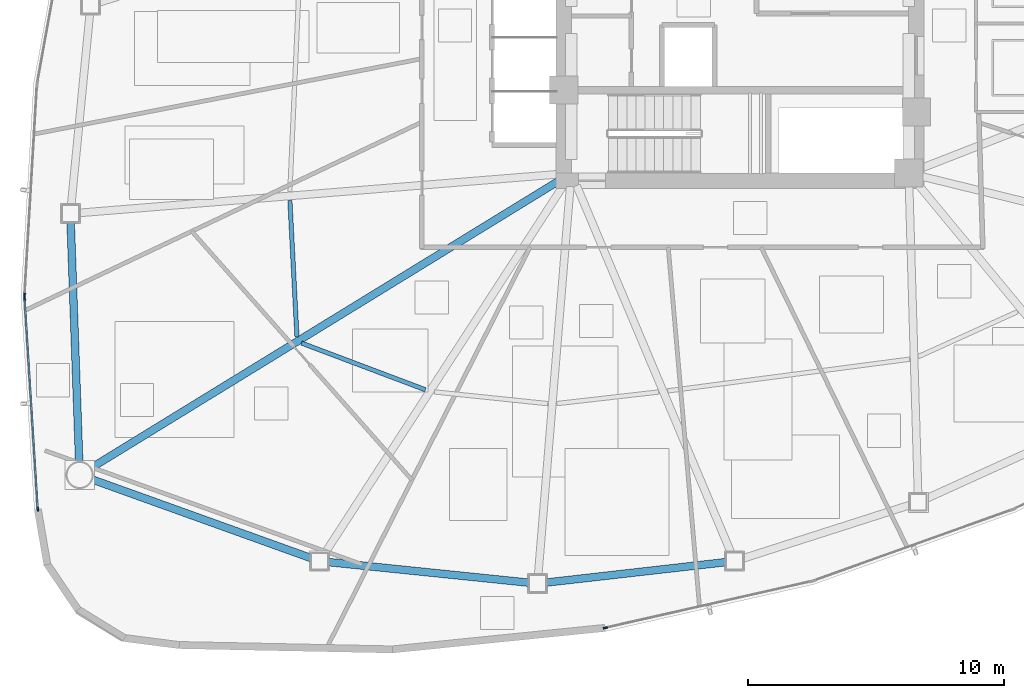
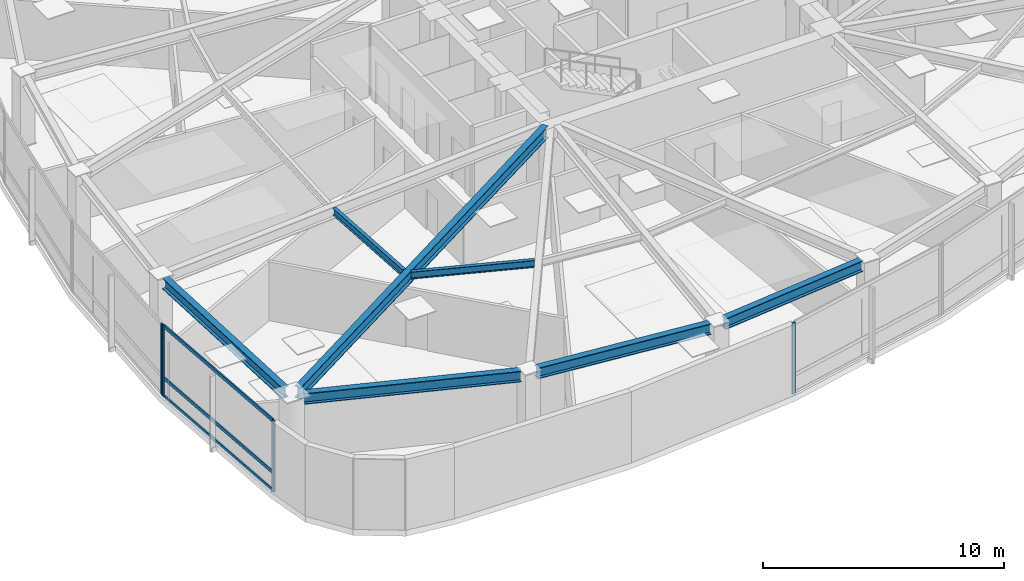
# One storey, part 2 of 17: 7 beams, 7 members, 3 elements without a shape of their own.
"""IFC4 building model written with IfcOpenShell, lengths in metres."""

from ifc_helpers import new_model, si_unit, direction, frame, origin, origin_2d, place, context, subcontext, project, spatial, hollow_rectangle, i_section, extrude, source, transform, mapped, material, layer, layer_set, material_profile, profile_set, type_object, type_shapes, element, aggregate, save


model = new_model("IFC4")

# Units and contexts
model_context = context("Model", 3, precision=1e-05, world=origin(), true_north=direction((0.0, 1.0)))
body_context = subcontext(model_context, "Body", "Model", "MODEL_VIEW")
ifc_project = project(units=[si_unit("LENGTHUNIT", "METRE"), si_unit("AREAUNIT", "SQUARE_METRE"), si_unit("VOLUMEUNIT", "CUBIC_METRE"), si_unit("PLANEANGLEUNIT", "RADIAN"), si_unit("MASSUNIT", "GRAM", prefix="KILO")], contexts=[model_context])

# Site, building, storey
site_placement = place(None, origin())
site = spatial("IfcSite", under=ifc_project, at=site_placement, CompositionType="ELEMENT")
building_placement = place(site_placement, origin())
building = spatial("IfcBuilding", under=site, at=building_placement, Name="Tavelor Broadcast Tower", CompositionType="ELEMENT")
storey_placement = place(building_placement, frame((0.0, 0.0, 93.89990234375)))
storey = spatial("IfcBuildingStorey", under=building, at=storey_placement, Name="L22", CompositionType="ELEMENT", Elevation=93.89990234375)

# Beams
ifc_material_1 = material(Name="Steel S355", Category="steel")
ifc_material_profile_1 = material_profile(ifc_material_1, i_section(OverallWidth=0.169921875, OverallDepth=0.360107421875, WebThickness=0.008056640625, FlangeThickness=0.0126953125, at=origin_2d()), Name="IPE 360")
ifc_profile_set_1 = profile_set([ifc_material_profile_1], Name="Steel S355")
beam_type_1 = type_object("IfcBeamType", Name="Composite Floor Joist T2 IPE 360", PredefinedType="JOIST", material=ifc_profile_set_1)
beam_1_placement = place(storey_placement, frame((32.386474609375, 37.72900390625, 3.420166015625), z_axis=(0.051611065527, -0.998667260861, 0.0), x_axis=(0.998667260861, 0.051611065527, 0.0)))
element("IfcBeam", 1, at=beam_1_placement, inside=storey, type_object=beam_type_1, Name="L22 Secondary Composite Floor Joist 06", PredefinedType="JOIST", context=body_context, shape_type="SweptSolid", body=[
    extrude(i_section(OverallWidth=0.169921875, OverallDepth=0.360107421875, WebThickness=0.008056640625, FlangeThickness=0.0126953125, at=origin_2d()), origin(), (0.0, 0.0, 1.0), 5.340576171875),
])
beam_2_placement = place(storey_placement, frame((32.8408203125, 32.15087890625, 3.420166015625), z_axis=(0.935788002818, -0.352563205371, 0.0), x_axis=(0.352563205371, 0.935788002818, 0.0)))
element("IfcBeam", 2, at=beam_2_placement, inside=storey, type_object=beam_type_1, Name="L22 Secondary Composite Floor Joist 07", PredefinedType="JOIST", context=body_context, shape_type="SweptSolid", body=[
    extrude(i_section(OverallWidth=0.169921875, OverallDepth=0.360107421875, WebThickness=0.008056640625, FlangeThickness=0.0126953125, at=origin_2d()), origin(), (0.0, 0.0, 1.0), 5.18310546875),
])
ifc_material_profile_2 = material_profile(ifc_material_1, i_section(OverallWidth=0.300048828125, OverallDepth=0.550048828125, WebThickness=0.014892578125, FlangeThickness=0.029052734375, at=origin_2d()), Name="HEB 550")
ifc_profile_set_2 = profile_set([ifc_material_profile_2], Name="Steel S355")
beam_type_2 = type_object("IfcBeamType", Name="Perimeter Spandrel Beam T2 HEB 550", PredefinedType="SPANDREL", material=ifc_profile_set_2)
beam_3_placement = place(storey_placement, frame((23.806640625, 36.880615234375, 3.3251953125), z_axis=(0.035613586899, -0.999365635005, 0.0), x_axis=(0.999365635005, 0.035613586899, 0.0)))
element("IfcBeam", 3, at=beam_3_placement, inside=storey, type_object=beam_type_2, Name="L22 Framed-Tube Ring Spandrel 06", PredefinedType="SPANDREL", context=body_context, shape_type="SweptSolid", body=[
    extrude(i_section(OverallWidth=0.300048828125, OverallDepth=0.550048828125, WebThickness=0.014892578125, FlangeThickness=0.029052734375, at=origin_2d()), origin(), (0.0, 0.0, 1.0), 9.384765625),
])
beam_4_placement = place(storey_placement, frame((24.64111328125, 26.81640625, 3.3251953125), z_axis=(0.941105692238, -0.338112519789, 0.0), x_axis=(0.338112519789, 0.941105692238, 0.0)))
element("IfcBeam", 4, at=beam_4_placement, inside=storey, type_object=beam_type_2, Name="L22 Framed-Tube Ring Spandrel 07", PredefinedType="SPANDREL", context=body_context, shape_type="SweptSolid", body=[
    extrude(i_section(OverallWidth=0.300048828125, OverallDepth=0.550048828125, WebThickness=0.014892578125, FlangeThickness=0.029052734375, at=origin_2d()), origin(), (0.0, 0.0, 1.0), 9.13134765625),
])
beam_5_placement = place(storey_placement, frame((33.885009765625, 23.581298828125, 3.3251953125), z_axis=(0.994770407806, -0.102136358626, 0.0), x_axis=(0.102136358626, 0.994770407806, 0.0)))
element("IfcBeam", 5, at=beam_5_placement, inside=storey, type_object=beam_type_2, Name="L22 Framed-Tube Ring Spandrel 08", PredefinedType="SPANDREL", context=body_context, shape_type="SweptSolid", body=[
    extrude(i_section(OverallWidth=0.300048828125, OverallDepth=0.550048828125, WebThickness=0.014892578125, FlangeThickness=0.029052734375, at=origin_2d()), origin(), (0.0, 0.0, 1.0), 7.895263671875),
])
beam_6_placement = place(storey_placement, frame((42.406982421875, 22.778564453125, 3.3251953125), z_axis=(0.993591905029, 0.113027104096, 0.0), x_axis=(-0.113027104096, 0.993591905029, 0.0)))
element("IfcBeam", 6, at=beam_6_placement, inside=storey, type_object=beam_type_2, Name="L22 Framed-Tube Ring Spandrel 09", PredefinedType="SPANDREL", context=body_context, shape_type="SweptSolid", body=[
    extrude(i_section(OverallWidth=0.300048828125, OverallDepth=0.550048828125, WebThickness=0.014892578125, FlangeThickness=0.029052734375, at=origin_2d()), origin(), (0.0, 0.0, 1.0), 7.09130859375),
])
ifc_material_profile_3 = material_profile(ifc_material_1, i_section(OverallWidth=0.300048828125, OverallDepth=0.60009765625, WebThickness=0.015380859375, FlangeThickness=0.030029296875, at=origin_2d()), Name="HEB 600")
ifc_profile_set_3 = profile_set([ifc_material_profile_3], Name="Steel S355")
beam_type_3 = type_object("IfcBeamType", Name="Radial Floor Girder T2 HEB 600", PredefinedType="BEAM", material=ifc_profile_set_3)
beam_7_placement = place(storey_placement, frame((42.949951171875, 38.523681640625, 3.300048828125), z_axis=(-0.852254843795, -0.52312683092, 0.0), x_axis=(0.52312683092, -0.852254843795, 0.0)))
element("IfcBeam", 7, at=beam_7_placement, inside=storey, type_object=beam_type_3, Name="L22 Radial Primary Floor Girder 07", PredefinedType="BEAM", context=body_context, shape_type="SweptSolid", body=[
    extrude(i_section(OverallWidth=0.300048828125, OverallDepth=0.60009765625, WebThickness=0.015380859375, FlangeThickness=0.030029296875, at=origin_2d()), origin(), (0.0, 0.0, 1.0), 21.5361328125),
])

# Curtain wall, member
ifc_material_2 = material(Name="Architectural Anodized Aluminium", Category="aluminium")
ifc_layer = layer(ifc_material_2, 0.179931640625)
ifc_layer_set = layer_set([ifc_layer], Name="Architectural Anodized Aluminium")
curtain_wall_type = type_object("IfcCurtainWallType", Name="Tower Low-Zone Unitised Curtain Wall CW02", PredefinedType="NOTDEFINED", material=ifc_layer_set)
curtain_wall_1_placement = place(storey_placement, origin())
curtain_wall_1 = element("IfcCurtainWall", 8, at=curtain_wall_1_placement, inside=storey, type_object=curtain_wall_type, Name="L22 Curtain Wall CW02 Run 219", PredefinedType="NOTDEFINED")
ifc_material_profile_4 = material_profile(ifc_material_2, hollow_rectangle(XDim=0.06494140625, YDim=0.179931640625, WallThickness=0.02197265625, at=origin_2d()), Name="RHS 65x180x22")
ifc_profile_set_4 = profile_set([ifc_material_profile_4], Name="Architectural Anodized Aluminium")
member_type_1 = type_object("IfcMemberType", Name="CW02 Extruded Aluminium Mullion 65x180", PredefinedType="MULLION", material=ifc_profile_set_4)
shared_shape_1 = source(origin(), body_context, "Body", "SweptSolid", [
    extrude(hollow_rectangle(XDim=0.06494140625, YDim=0.179931640625, WallThickness=0.02197265625, at=origin_2d()), origin(), (0.0, 0.0, 1.0), 3.60009765625),
])
type_shapes(member_type_1, [shared_shape_1])
member_1_placement = place(storey_placement, frame((22.004150390625, 34.0078125, 0.0), z_axis=(0.0, 0.0, 1.0), x_axis=(0.998265821762, -0.05886721585, 0.0)))
member_1 = element("IfcMember", 9, at=member_1_placement, type_object=member_type_1, Name="CW02 mullion 2", PredefinedType="MULLION", context=body_context, shape_type="MappedRepresentation", body=[
    mapped(shared_shape_1, transform((0.0, 0.0, 0.0), scale=1.0)),
])
aggregate(curtain_wall_1, [member_1])

# Curtain wall, members
curtain_wall_2_placement = place(storey_placement, origin())
curtain_wall_2 = element("IfcCurtainWall", 10, at=curtain_wall_2_placement, inside=storey, type_object=curtain_wall_type, Name="L22 Curtain Wall CW02 Run 220", PredefinedType="NOTDEFINED")
member_2_placement = place(storey_placement, frame((22.00439453125, 33.9130859375, 0.0), z_axis=(0.0, 0.0, 1.0), x_axis=(0.998051737875, 0.062391734427, 0.0)))
member_2 = element("IfcMember", 11, at=member_2_placement, type_object=member_type_1, Name="CW02 mullion 1", PredefinedType="MULLION", context=body_context, shape_type="MappedRepresentation", body=[
    mapped(shared_shape_1, transform((0.0, 0.0, 0.0), scale=1.0)),
])
member_3_placement = place(storey_placement, frame((22.520263671875, 25.661376953125, 0.0), z_axis=(0.0, 0.0, 1.0), x_axis=(0.998051737875, 0.062391734427, 0.0)))
member_3 = element("IfcMember", 12, at=member_3_placement, type_object=member_type_1, Name="CW02 mullion 2", PredefinedType="MULLION", context=body_context, shape_type="MappedRepresentation", body=[
    mapped(shared_shape_1, transform((0.0, 0.0, 0.0), scale=1.0)),
])

# Curtain wall, member
curtain_wall_3_placement = place(storey_placement, origin())
curtain_wall_3 = element("IfcCurtainWall", 13, at=curtain_wall_3_placement, inside=storey, type_object=curtain_wall_type, Name="L22 Curtain Wall CW02 Run 221", PredefinedType="NOTDEFINED")
member_4_placement = place(storey_placement, frame((44.728271484375, 21.00732421875, 0.0), z_axis=(0.0, 0.0, 1.0), x_axis=(-0.220275238324, 0.97543775782, 0.0)))
member_4 = element("IfcMember", 14, at=member_4_placement, type_object=member_type_1, Name="CW02 mullion 1", PredefinedType="MULLION", context=body_context, shape_type="MappedRepresentation", body=[
    mapped(shared_shape_1, transform((0.0, 0.0, 0.0), scale=1.0)),
])
aggregate(curtain_wall_3, [member_4])

# Member
ifc_material_profile_5 = material_profile(ifc_material_2, hollow_rectangle(XDim=0.06494140625, YDim=0.179931640625, WallThickness=0.02197265625, at=origin_2d()), Name="RHS 65x180x22")
ifc_profile_set_5 = profile_set([ifc_material_profile_5], Name="Architectural Anodized Aluminium")
member_type_2 = type_object("IfcMemberType", Name="CW02 Extruded Aluminium Transom 65x180", PredefinedType="USERDEFINED", material=ifc_profile_set_5)
shared_shape_2 = source(origin(), body_context, "Body", "SweptSolid", [
    extrude(hollow_rectangle(XDim=0.06494140625, YDim=0.179931640625, WallThickness=0.02197265625, at=origin_2d()), origin(), (0.0, 0.0, 1.0), 8.20263671875),
])
type_shapes(member_type_2, [shared_shape_2])
member_5_placement = place(storey_placement, frame((22.00634765625, 33.880615234375, 0.03271484375), z_axis=(0.062383845056, -0.998052231036, 0.0), x_axis=(0.998052231036, 0.062383845056, 0.0)))
member_5 = element("IfcMember", 15, at=member_5_placement, type_object=member_type_2, Name="CW02 transom 1.1", ObjectType="TRANSOM", PredefinedType="USERDEFINED", context=body_context, shape_type="MappedRepresentation", body=[
    mapped(shared_shape_2, transform((0.0, 0.0, 0.0), scale=1.0)),
])

member_6_placement = place(storey_placement, frame((22.00634765625, 33.880615234375, 0.9501953125), z_axis=(0.062383845056, -0.998052231036, 0.0), x_axis=(0.998052231036, 0.062383845056, 0.0)))
member_6 = element("IfcMember", 16, at=member_6_placement, type_object=member_type_2, Name="CW02 transom 1.2", ObjectType="TRANSOM", PredefinedType="USERDEFINED", context=body_context, shape_type="MappedRepresentation", body=[
    mapped(shared_shape_2, transform((0.0, 0.0, 0.0), scale=1.0)),
])

member_7_placement = place(storey_placement, frame((22.00634765625, 33.880615234375, 3.567626953125), z_axis=(0.062383845056, -0.998052231036, 0.0), x_axis=(0.998052231036, 0.062383845056, 0.0)))
member_7 = element("IfcMember", 17, at=member_7_placement, type_object=member_type_2, Name="CW02 transom 1.3", ObjectType="TRANSOM", PredefinedType="USERDEFINED", context=body_context, shape_type="MappedRepresentation", body=[
    mapped(shared_shape_2, transform((0.0, 0.0, 0.0), scale=1.0)),
])

aggregate(curtain_wall_2, [member_2, member_3, member_5, member_6, member_7])

save(model, "model.ifc")
